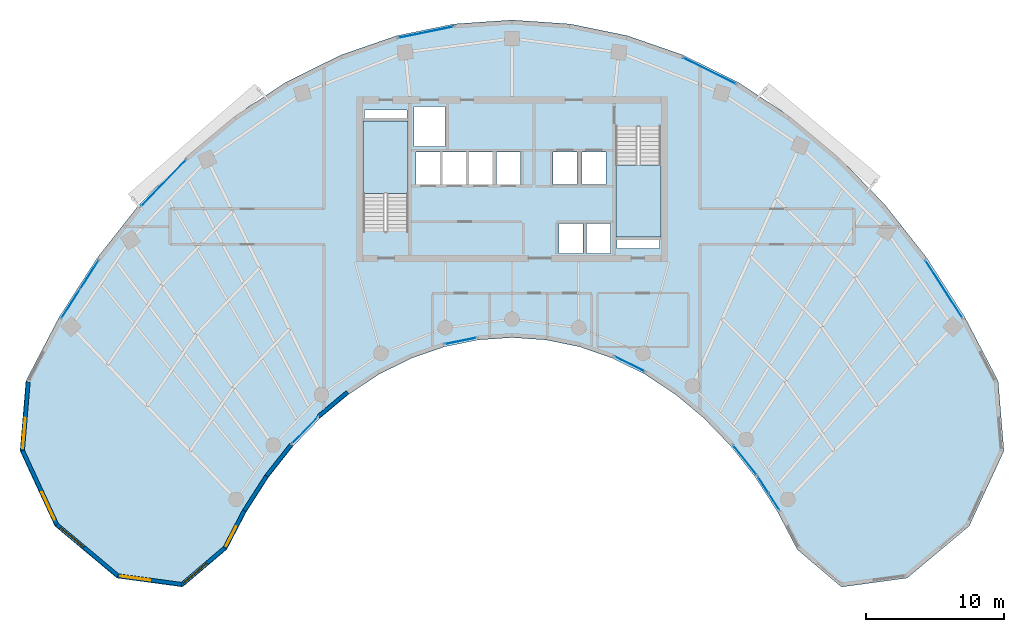
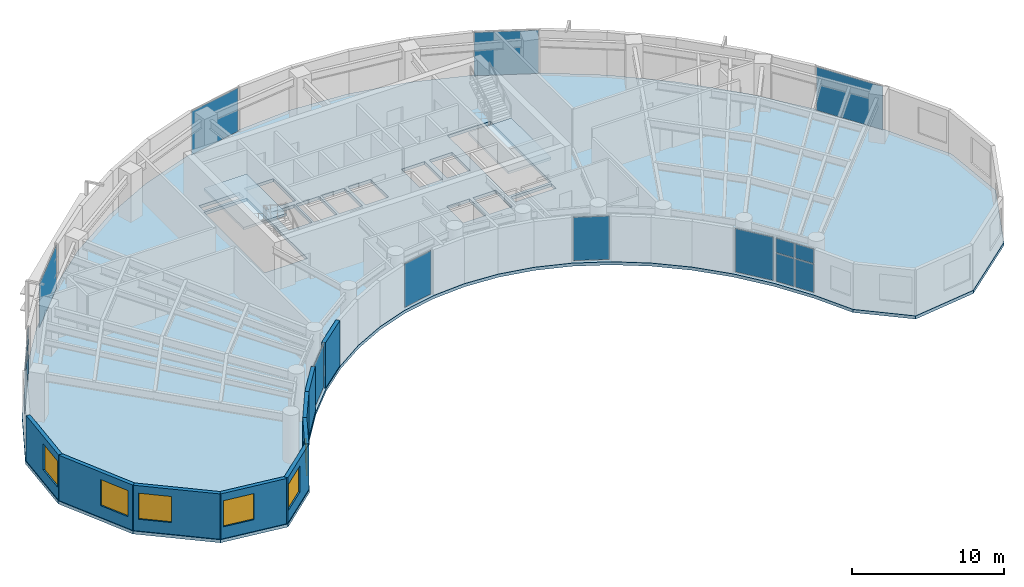
# One storey, part 7 of 13: 16 plates, 9 walls, 6 windows, 3 slabs, 6 openings, 12 elements without a shape of their own.
"""IFC4 building model written with IfcOpenShell, lengths in metres."""

from ifc_helpers import new_model, si_unit, direction, frame, frame_2d, origin, origin_2d, place, context, subcontext, project, spatial, polyline, rectangle, outline, extrude, source, transform, mapped, material, layer, layer_set, type_object, type_shapes, element, fill, aggregate, save


model = new_model("IFC4")

# Units and contexts
model_context = context("Model", 3, precision=1e-05, world=origin(), true_north=direction((0.0, 1.0)))
body_context = subcontext(model_context, "Body", "Model", "MODEL_VIEW")
ifc_project = project(units=[si_unit("LENGTHUNIT", "METRE"), si_unit("AREAUNIT", "SQUARE_METRE"), si_unit("VOLUMEUNIT", "CUBIC_METRE"), si_unit("PLANEANGLEUNIT", "RADIAN"), si_unit("MASSUNIT", "GRAM", prefix="KILO")], contexts=[model_context])

# Site, building, storey
site_placement = place(None, origin())
site = spatial("IfcSite", under=ifc_project, at=site_placement, CompositionType="ELEMENT")
building_placement = place(site_placement, origin())
building = spatial("IfcBuilding", under=site, at=building_placement, Name="Breltana Convention Tower", CompositionType="ELEMENT")
storey_placement = place(building_placement, frame((0.0, 0.0, 158.39990234375)))
storey = spatial("IfcBuildingStorey", under=building, at=storey_placement, Name="L38", CompositionType="ELEMENT", Elevation=158.39990234375)

# Slab
ifc_material_1 = material(Name="Concrete C40/50", Category="concrete")
ifc_layer_1 = layer(ifc_material_1, 0.25, Name="Concrete C40/50")
ifc_layer_set_1 = layer_set([ifc_layer_1], Name="Concrete C40/50")
slab_type_1 = type_object("IfcSlabType", Name="SL-OFF-250", PredefinedType="FLOOR", material=ifc_layer_set_1)
slab_1_placement = place(storey_placement, frame((0.0, 0.0, -0.25)))
element("IfcSlab", 1, at=slab_1_placement, inside=storey, type_object=slab_type_1, Name="L38 Suspended Structural Floor Slab", PredefinedType="FLOOR", context=body_context, shape_type="SweptSolid", body=[
    extrude(outline(polyline([(83.27880859375, 51.539794921875), (80.870361328125, 56.166015625), (78.12548828125, 60.442138671875), (75.072265625, 64.32470703125), (71.74169921875, 67.774169921875), (68.168212890625, 70.7548828125), (64.387939453125, 73.236328125), (60.440185546875, 75.193115234375), (56.36474609375, 76.60546875), (52.203857421875, 77.45849609375), (48.0, 77.743896484375), (43.796142578125, 77.45849609375), (39.63525390625, 76.60546875), (35.559814453125, 75.193115234375), (31.612060546875, 73.236328125), (27.831787109375, 70.7548828125), (24.25830078125, 67.774169921875), (20.927734375, 64.32470703125), (17.87451171875, 60.442138671875), (15.129638671875, 56.166015625), (12.72119140625, 51.539794921875), (12.298095703125, 46.4794921875), (14.822509765625, 41.019287109375), (19.329833984375, 37.2451171875), (24.098876953125, 36.598388671875), (27.3076171875, 39.326171875), (28.72021484375, 42.03955078125), (30.330078125, 44.5478515625), (32.12109375, 46.8251953125), (34.07470703125, 48.848388671875), (36.170654296875, 50.5966796875), (38.3876953125, 52.052001953125), (40.703369140625, 53.19970703125), (43.09375, 54.0283203125), (45.5341796875, 54.528564453125), (48.0, 54.696044921875), (50.4658203125, 54.528564453125), (52.90625, 54.0283203125), (55.296630859375, 53.19970703125), (57.6123046875, 52.052001953125), (59.829345703125, 50.5966796875), (61.92529296875, 48.848388671875), (63.87890625, 46.8251953125), (65.669921875, 44.5478515625), (67.27978515625, 42.03955078125), (68.6923828125, 39.326171875), (71.901123046875, 36.598388671875), (76.670166015625, 37.2451171875), (81.177490234375, 41.019287109375), (83.701904296875, 46.4794921875), (83.27880859375, 51.539794921875)]), holes=[polyline([(37.199951171875, 62.385009765625), (40.469970703125, 62.385009765625), (40.469970703125, 70.39990234375), (37.199951171875, 70.39990234375), (37.199951171875, 62.385009765625)]), polyline([(55.530029296875, 62.0), (58.800048828125, 62.0), (58.800048828125, 70.014892578125), (55.530029296875, 70.014892578125), (55.530029296875, 62.0)]), polyline([(51.39990234375, 60.800048828125), (53.159912109375, 60.800048828125), (53.159912109375, 62.97998046875), (51.39990234375, 62.97998046875), (51.39990234375, 60.800048828125)]), polyline([(53.39990234375, 60.800048828125), (55.159912109375, 60.800048828125), (55.159912109375, 62.97998046875), (53.39990234375, 62.97998046875), (53.39990234375, 60.800048828125)]), polyline([(41.0400390625, 65.820068359375), (42.800048828125, 65.820068359375), (42.800048828125, 68.179931640625), (41.0400390625, 68.179931640625), (41.0400390625, 65.820068359375)]), polyline([(42.93994140625, 65.820068359375), (44.699951171875, 65.820068359375), (44.699951171875, 68.179931640625), (42.93994140625, 68.179931640625), (42.93994140625, 65.820068359375)]), polyline([(44.8701171875, 65.820068359375), (46.6298828125, 65.820068359375), (46.6298828125, 68.179931640625), (44.8701171875, 68.179931640625), (44.8701171875, 65.820068359375)]), polyline([(46.8701171875, 65.820068359375), (48.6298828125, 65.820068359375), (48.6298828125, 68.179931640625), (46.8701171875, 68.179931640625), (46.8701171875, 65.820068359375)]), polyline([(50.969970703125, 65.800048828125), (52.72998046875, 65.800048828125), (52.72998046875, 68.179931640625), (50.969970703125, 68.179931640625), (50.969970703125, 65.800048828125)]), polyline([(53.070068359375, 65.800048828125), (54.830078125, 65.800048828125), (54.830078125, 68.179931640625), (53.070068359375, 68.179931640625), (53.070068359375, 65.800048828125)]), polyline([(40.8798828125, 68.550048828125), (43.1201171875, 68.550048828125), (43.1201171875, 71.449951171875), (40.8798828125, 71.449951171875), (40.8798828125, 68.550048828125)]), polyline([(37.300048828125, 70.60009765625), (40.3798828125, 70.60009765625), (40.3798828125, 71.219970703125), (37.300048828125, 71.219970703125), (37.300048828125, 70.60009765625)]), polyline([(55.6201171875, 61.179931640625), (58.699951171875, 61.179931640625), (58.699951171875, 61.800048828125), (55.6201171875, 61.800048828125), (55.6201171875, 61.179931640625)])]), origin(), (0.0, 0.0, 1.0), 0.25),
])

# Stair, slab
stair_type = type_object("IfcStairType", Name="ST-DOG-1560-R177", PredefinedType="HALF_TURN_STAIR", material=ifc_material_1)
stair_1_placement = place(storey_placement, origin())
stair_1 = element("IfcStair", 2, at=stair_1_placement, inside=storey, type_object=stair_type, Name="L38 Protected Core Exit Stair ST-1", PredefinedType="HALF_TURN_STAIR")
ifc_layer_2 = layer(ifc_material_1, 0.199951171875, Name="Concrete C40/50")
ifc_layer_set_2 = layer_set([ifc_layer_2], Name="Concrete C40/50")
slab_type_2 = type_object("IfcSlabType", Name="SL-STAIR-LANDING-200", PredefinedType="LANDING", material=ifc_layer_set_2)
slab_2_placement = place(storey_placement, frame((0.0, 0.0, 1.75)))
slab_2 = element("IfcSlab", 3, at=slab_2_placement, type_object=slab_type_2, Name="ST-1 landing 1", PredefinedType="LANDING", context=body_context, shape_type="SweptSolid", body=[
    extrude(outline(polyline([(40.469970703125, 65.159912109375), (40.469970703125, 70.39990234375), (37.199951171875, 70.39990234375), (37.199951171875, 65.159912109375), (40.469970703125, 65.159912109375)])), origin(), (0.0, 0.0, 1.0), 0.2001953125),
])
aggregate(stair_1, [slab_2])

stair_2_placement = place(storey_placement, origin())
stair_2 = element("IfcStair", 4, at=stair_2_placement, inside=storey, type_object=stair_type, Name="L38 Protected Core Exit Stair ST-2", PredefinedType="HALF_TURN_STAIR")
slab_3_placement = place(storey_placement, frame((0.0, 0.0, 1.75)))
slab_3 = element("IfcSlab", 5, at=slab_3_placement, type_object=slab_type_2, Name="ST-2 landing 1", PredefinedType="LANDING", context=body_context, shape_type="SweptSolid", body=[
    extrude(outline(polyline([(55.530029296875, 67.239990234375), (55.530029296875, 62.0), (58.800048828125, 62.0), (58.800048828125, 67.239990234375), (55.530029296875, 67.239990234375)])), origin(), (0.0, 0.0, 1.0), 0.2001953125),
])
aggregate(stair_2, [slab_3])

# Curtain wall, plates
ifc_material_2 = material(Name="Aluminium Anodised Bronze Frame", Category="aluminium")
ifc_layer_3 = layer(ifc_material_2, 0.18994140625, Name="Aluminium Anodised Bronze Frame")
ifc_layer_set_3 = layer_set([ifc_layer_3], Name="Aluminium Anodised Bronze Frame")
curtain_wall_type_1 = type_object("IfcCurtainWallType", Name="CW-SYS-1", PredefinedType="NOTDEFINED", material=ifc_layer_set_3)
curtain_wall_1_placement = place(storey_placement, origin())
curtain_wall_1 = element("IfcCurtainWall", 6, at=curtain_wall_1_placement, inside=storey, type_object=curtain_wall_type_1, Name="L38 inner south-court glazing 1", PredefinedType="NOTDEFINED")
ifc_material_3 = material(Name="Glass Low-E Double Glazing", Category="glass")
ifc_layer_4 = layer(ifc_material_3, 0.028076171875, Name="Glass Low-E Double Glazing")
ifc_layer_set_4 = layer_set([ifc_layer_4], Name="Glass Low-E Double Glazing")
plate_type = type_object("IfcPlateType", Name="CWP-IGU-28", PredefinedType="CURTAIN_PANEL", material=ifc_layer_set_4)
shared_shape_1 = source(origin(), body_context, "Body", "SweptSolid", [
    extrude(rectangle(XDim=1.3701171875, YDim=0.028076171875, at=origin_2d()), origin(), (0.0, 0.0, 1.0), 2.25244140625),
])
plate_1_placement = place(storey_placement, frame((67.01806640625, 42.78076171875, 0.080078125), z_axis=(0.0, 0.0, 1.0), x_axis=(-0.540184298954, 0.841546744491, 0.0)))
plate_1 = element("IfcPlate", 7, at=plate_1_placement, type_object=plate_type, Name="CW-01 panel 1.1", PredefinedType="CURTAIN_PANEL", context=body_context, shape_type="MappedRepresentation", body=[
    mapped(shared_shape_1, transform((0.0, 0.0, 0.0), scale=1.0)),
])
plate_2_placement = place(storey_placement, frame((66.234619140625, 44.001220703125, 0.080078125), z_axis=(0.0, 0.0, 1.0), x_axis=(-0.540184298954, 0.841546744491, 0.0)))
plate_2 = element("IfcPlate", 8, at=plate_2_placement, type_object=plate_type, Name="CW-01 panel 2.1", PredefinedType="CURTAIN_PANEL", context=body_context, shape_type="MappedRepresentation", body=[
    mapped(shared_shape_1, transform((0.0, 0.0, 0.0), scale=1.0)),
])
shared_shape_2 = source(origin(), body_context, "Body", "SweptSolid", [
    extrude(rectangle(XDim=1.3701171875, YDim=0.028076171875, at=origin_2d()), origin(), (0.0, 0.0, 1.0), 1.157470703125),
])
plate_3_placement = place(storey_placement, frame((67.01806640625, 42.78076171875, 2.41259765625), z_axis=(0.0, 0.0, 1.0), x_axis=(-0.540184298954, 0.841546744491, 0.0)))
plate_3 = element("IfcPlate", 9, at=plate_3_placement, type_object=plate_type, Name="CW-01 panel 1.2", PredefinedType="CURTAIN_PANEL", context=body_context, shape_type="MappedRepresentation", body=[
    mapped(shared_shape_2, transform((0.0, 0.0, 0.0), scale=1.0)),
])
plate_4_placement = place(storey_placement, frame((66.234619140625, 44.001220703125, 2.41259765625), z_axis=(0.0, 0.0, 1.0), x_axis=(-0.540184298954, 0.841546744491, 0.0)))
plate_4 = element("IfcPlate", 10, at=plate_4_placement, type_object=plate_type, Name="CW-01 panel 2.2", PredefinedType="CURTAIN_PANEL", context=body_context, shape_type="MappedRepresentation", body=[
    mapped(shared_shape_2, transform((0.0, 0.0, 0.0), scale=1.0)),
])
aggregate(curtain_wall_1, [plate_1, plate_3, plate_2, plate_4])

# Curtain wall, plate
curtain_wall_2_placement = place(storey_placement, origin())
curtain_wall_2 = element("IfcCurtainWall", 11, at=curtain_wall_2_placement, inside=storey, type_object=curtain_wall_type_1, Name="L38 inner south-court glazing 2", PredefinedType="NOTDEFINED")
shared_shape_3 = source(origin(), body_context, "Body", "SweptSolid", [
    extrude(rectangle(XDim=2.737060546875, YDim=0.028076171875, at=origin_2d()), origin(), (0.0, 0.0, 1.0), 3.489990234375),
])
plate_5_placement = place(storey_placement, frame((64.915771484375, 45.7978515625, 0.080078125), z_axis=(0.0, 0.0, 1.0), x_axis=(-0.618161435717, 0.786051168431, 0.0)))
plate_5 = element("IfcPlate", 12, at=plate_5_placement, type_object=plate_type, Name="CW-01 panel 1.1", PredefinedType="CURTAIN_PANEL", context=body_context, shape_type="MappedRepresentation", body=[
    mapped(shared_shape_3, transform((0.0, 0.0, 0.0), scale=1.0)),
])
aggregate(curtain_wall_2, [plate_5])

# Curtain wall, plates
ifc_layer_5 = layer(ifc_material_2, 0.2099609375, Name="Aluminium Anodised Bronze Frame")
ifc_layer_set_5 = layer_set([ifc_layer_5], Name="Aluminium Anodised Bronze Frame")
curtain_wall_type_2 = type_object("IfcCurtainWallType", Name="CW-SYS-3", PredefinedType="NOTDEFINED", material=ifc_layer_set_5)
curtain_wall_3_placement = place(storey_placement, origin())
curtain_wall_3 = element("IfcCurtainWall", 13, at=curtain_wall_3_placement, inside=storey, type_object=curtain_wall_type_2, Name="L38 outer double-skin inner glazing 1", PredefinedType="NOTDEFINED")
shared_shape_4 = source(origin(), body_context, "Body", "SweptSolid", [
    extrude(rectangle(XDim=2.42724609375, YDim=0.028076171875, at=origin_2d()), origin(), (0.0, 0.0, 1.0), 2.25244140625),
])
plate_6_placement = place(storey_placement, frame((15.97900390625, 57.15576171875, 0.080078125), z_axis=(0.0, 0.0, 1.0), x_axis=(0.54017267843, 0.841554203529, 0.0)))
plate_6 = element("IfcPlate", 14, at=plate_6_placement, type_object=plate_type, Name="CW-03 panel 1.1", PredefinedType="CURTAIN_PANEL", context=body_context, shape_type="MappedRepresentation", body=[
    mapped(shared_shape_4, transform((0.0, 0.0, 0.0), scale=1.0)),
])
plate_7_placement = place(storey_placement, frame((17.327880859375, 59.25732421875, 0.080078125), z_axis=(0.0, 0.0, 1.0), x_axis=(0.54017267843, 0.841554203529, 0.0)))
plate_7 = element("IfcPlate", 15, at=plate_7_placement, type_object=plate_type, Name="CW-03 panel 2.1", PredefinedType="CURTAIN_PANEL", context=body_context, shape_type="MappedRepresentation", body=[
    mapped(shared_shape_4, transform((0.0, 0.0, 0.0), scale=1.0)),
])
shared_shape_5 = source(origin(), body_context, "Body", "SweptSolid", [
    extrude(rectangle(XDim=2.42724609375, YDim=0.028076171875, at=origin_2d()), origin(), (0.0, 0.0, 1.0), 1.157470703125),
])
plate_8_placement = place(storey_placement, frame((15.97900390625, 57.15576171875, 2.41259765625), z_axis=(0.0, 0.0, 1.0), x_axis=(0.54017267843, 0.841554203529, 0.0)))
plate_8 = element("IfcPlate", 16, at=plate_8_placement, type_object=plate_type, Name="CW-03 panel 1.2", PredefinedType="CURTAIN_PANEL", context=body_context, shape_type="MappedRepresentation", body=[
    mapped(shared_shape_5, transform((0.0, 0.0, 0.0), scale=1.0)),
])
plate_9_placement = place(storey_placement, frame((17.327880859375, 59.25732421875, 2.41259765625), z_axis=(0.0, 0.0, 1.0), x_axis=(0.54017267843, 0.841554203529, 0.0)))
plate_9 = element("IfcPlate", 17, at=plate_9_placement, type_object=plate_type, Name="CW-03 panel 2.2", PredefinedType="CURTAIN_PANEL", context=body_context, shape_type="MappedRepresentation", body=[
    mapped(shared_shape_5, transform((0.0, 0.0, 0.0), scale=1.0)),
])
aggregate(curtain_wall_3, [plate_6, plate_8, plate_7, plate_9])

# Curtain wall, plate
curtain_wall_4_placement = place(storey_placement, origin())
curtain_wall_4 = element("IfcCurtainWall", 18, at=curtain_wall_4_placement, inside=storey, type_object=curtain_wall_type_2, Name="L38 outer double-skin inner glazing 4", PredefinedType="NOTDEFINED")
shared_shape_6 = source(origin(), body_context, "Body", "SweptSolid", [
    extrude(rectangle(XDim=4.243896484375, YDim=0.028076171875, at=origin_2d()), origin(), (0.0, 0.0, 1.0), 3.489990234375),
])
plate_10_placement = place(storey_placement, frame((62.334228515625, 74.053466796875, 0.080078125), z_axis=(0.0, 0.0, 1.0), x_axis=(0.895968385619, -0.444117835682, 0.0)))
plate_10 = element("IfcPlate", 19, at=plate_10_placement, type_object=plate_type, Name="CW-03 panel 1.1", PredefinedType="CURTAIN_PANEL", context=body_context, shape_type="MappedRepresentation", body=[
    mapped(shared_shape_6, transform((0.0, 0.0, 0.0), scale=1.0)),
])
aggregate(curtain_wall_4, [plate_10])

curtain_wall_5_placement = place(storey_placement, origin())
curtain_wall_5 = element("IfcCurtainWall", 20, at=curtain_wall_5_placement, inside=storey, type_object=curtain_wall_type_2, Name="L38 outer double-skin inner glazing 3", PredefinedType="NOTDEFINED")
shared_shape_7 = source(origin(), body_context, "Body", "SweptSolid", [
    extrude(rectangle(XDim=4.08349609375, YDim=0.028076171875, at=origin_2d()), origin(), (0.0, 0.0, 1.0), 3.489990234375),
])
plate_11_placement = place(storey_placement, frame((41.751708984375, 76.855712890625, 0.080078125), z_axis=(0.0, 0.0, 1.0), x_axis=(0.979616560993, 0.200876562668, 0.0)))
plate_11 = element("IfcPlate", 21, at=plate_11_placement, type_object=plate_type, Name="CW-03 panel 1.1", PredefinedType="CURTAIN_PANEL", context=body_context, shape_type="MappedRepresentation", body=[
    mapped(shared_shape_7, transform((0.0, 0.0, 0.0), scale=1.0)),
])
aggregate(curtain_wall_5, [plate_11])

curtain_wall_6_placement = place(storey_placement, origin())
curtain_wall_6 = element("IfcCurtainWall", 22, at=curtain_wall_6_placement, inside=storey, type_object=curtain_wall_type_2, Name="L38 outer double-skin inner glazing 2", PredefinedType="NOTDEFINED")
shared_shape_8 = source(origin(), body_context, "Body", "SweptSolid", [
    extrude(rectangle(XDim=4.635986328125, YDim=0.028076171875, at=origin_2d()), origin(), (0.0, 0.0, 1.0), 3.489990234375),
])
plate_12_placement = place(storey_placement, frame((22.722412109375, 65.92431640625, 0.080078125), z_axis=(0.0, 0.0, 1.0), x_axis=(0.694602734297, 0.719393523398, 0.0)))
plate_12 = element("IfcPlate", 23, at=plate_12_placement, type_object=plate_type, Name="CW-03 panel 1.1", PredefinedType="CURTAIN_PANEL", context=body_context, shape_type="MappedRepresentation", body=[
    mapped(shared_shape_8, transform((0.0, 0.0, 0.0), scale=1.0)),
])
aggregate(curtain_wall_6, [plate_12])

curtain_wall_7_placement = place(storey_placement, origin())
curtain_wall_7 = element("IfcCurtainWall", 24, at=curtain_wall_7_placement, inside=storey, type_object=curtain_wall_type_1, Name="L38 inner south-court glazing 3", PredefinedType="NOTDEFINED")
shared_shape_9 = source(origin(), body_context, "Body", "SweptSolid", [
    extrude(rectangle(XDim=2.424560546875, YDim=0.028076171875, at=origin_2d()), origin(), (0.0, 0.0, 1.0), 3.489990234375),
])
plate_13_placement = place(storey_placement, frame((56.5341796875, 52.787109375, 0.080078125), z_axis=(0.0, 0.0, 1.0), x_axis=(-0.895969545082, 0.444115496562, 0.0)))
plate_13 = element("IfcPlate", 25, at=plate_13_placement, type_object=plate_type, Name="CW-01 panel 1.1", PredefinedType="CURTAIN_PANEL", context=body_context, shape_type="MappedRepresentation", body=[
    mapped(shared_shape_9, transform((0.0, 0.0, 0.0), scale=1.0)),
])
aggregate(curtain_wall_7, [plate_13])

curtain_wall_8_placement = place(storey_placement, origin())
curtain_wall_8 = element("IfcCurtainWall", 26, at=curtain_wall_8_placement, inside=storey, type_object=curtain_wall_type_1, Name="L38 inner south-court glazing 4", PredefinedType="NOTDEFINED")
shared_shape_10 = source(origin(), body_context, "Body", "SweptSolid", [
    extrude(rectangle(XDim=2.331298828125, YDim=0.028076171875, at=origin_2d()), origin(), (0.0, 0.0, 1.0), 3.489990234375),
])
plate_14_placement = place(storey_placement, frame((44.27783203125, 54.45458984375, 0.080078125), z_axis=(0.0, 0.0, 1.0), x_axis=(-0.979619715529, -0.200861178299, 0.0)))
plate_14 = element("IfcPlate", 27, at=plate_14_placement, type_object=plate_type, Name="CW-01 panel 1.1", PredefinedType="CURTAIN_PANEL", context=body_context, shape_type="MappedRepresentation", body=[
    mapped(shared_shape_10, transform((0.0, 0.0, 0.0), scale=1.0)),
])
aggregate(curtain_wall_8, [plate_14])

curtain_wall_9_placement = place(storey_placement, origin())
curtain_wall_9 = element("IfcCurtainWall", 28, at=curtain_wall_9_placement, inside=storey, type_object=curtain_wall_type_1, Name="L38 inner south-court glazing 5", PredefinedType="NOTDEFINED")
shared_shape_11 = source(origin(), body_context, "Body", "SweptSolid", [
    extrude(rectangle(XDim=2.65234375, YDim=0.028076171875, at=origin_2d()), origin(), (0.0, 0.0, 1.0), 3.489990234375),
])
plate_15_placement = place(storey_placement, frame((32.96826171875, 47.961669921875, 0.080078125), z_axis=(0.0, 0.0, 1.0), x_axis=(-0.694606570168, -0.719389819694, 0.0)))
plate_15 = element("IfcPlate", 29, at=plate_15_placement, type_object=plate_type, Name="CW-01 panel 1.1", PredefinedType="CURTAIN_PANEL", context=body_context, shape_type="MappedRepresentation", body=[
    mapped(shared_shape_11, transform((0.0, 0.0, 0.0), scale=1.0)),
])
aggregate(curtain_wall_9, [plate_15])

curtain_wall_10_placement = place(storey_placement, origin())
curtain_wall_10 = element("IfcCurtainWall", 30, at=curtain_wall_10_placement, inside=storey, type_object=curtain_wall_type_2, Name="L38 outer double-skin inner glazing 5", PredefinedType="NOTDEFINED")
shared_shape_12 = source(origin(), body_context, "Body", "SweptSolid", [
    extrude(rectangle(XDim=4.924560546875, YDim=0.028076171875, at=origin_2d()), origin(), (0.0, 0.0, 1.0), 3.489990234375),
])
plate_16_placement = place(storey_placement, frame((79.3466796875, 58.20654296875, 0.080078125), z_axis=(0.0, 0.0, 1.0), x_axis=(0.54017267843, -0.841554203529, 0.0)))
plate_16 = element("IfcPlate", 31, at=plate_16_placement, type_object=plate_type, Name="CW-03 panel 1.1", PredefinedType="CURTAIN_PANEL", context=body_context, shape_type="MappedRepresentation", body=[
    mapped(shared_shape_12, transform((0.0, 0.0, 0.0), scale=1.0)),
])
aggregate(curtain_wall_10, [plate_16])

# Wall, opening, window
ifc_material_4 = material(Name="Limestone Buff Insulated Wall", Category="masonry")
ifc_layer_6 = layer(ifc_material_4, 0.280029296875, Name="Limestone Buff Insulated Wall")
ifc_layer_set_6 = layer_set([ifc_layer_6], Name="Limestone Buff Insulated Wall")
wall_type = type_object("IfcWallType", Name="WL-EXT-NOSE-280", PredefinedType="SOLIDWALL", material=ifc_layer_set_6)
shared_shape_13 = source(origin(), body_context, "Body", "SweptSolid", [
    extrude(rectangle(XDim=4.994384765625, YDim=0.280029296875, at=frame_2d((2.4970703125, 0.0))), origin(), (0.0, 0.0, 1.0), 3.650146484375),
])
wall_1_placement = place(storey_placement, frame((12.4814453125, 46.51171875, 0.0), z_axis=(0.0, 0.0, 1.0), x_axis=(0.083344839916, 0.996520766296, 0.0)))
wall_1 = element("IfcWall", 32, at=wall_1_placement, inside=storey, type_object=wall_type, Name="L38 curved limestone nose wall W6", PredefinedType="SOLIDWALL", context=body_context, shape_type="MappedRepresentation", body=[
    mapped(shared_shape_13, transform((0.0, 0.0, 0.0), scale=1.0)),
])
opening_1_placement = place(wall_1_placement, frame((0.159912109375, 0.0, 0.949951171875)))
opening_1 = element("IfcOpeningElement", 33, at=opening_1_placement, cuts=wall_1, Name="Opening W-03", PredefinedType="OPENING", context=body_context, shape_type="SweptSolid", body=[
    extrude(rectangle(XDim=2.199951171875, YDim=2.10009765625, at=frame_2d((1.10009765625, 1.050048828125))), frame((0.0, 0.14990234375, 0.0), z_axis=(0.0, -1.0, 0.0), x_axis=(1.0, 0.0, 0.0)), (0.0, 0.0, 1.0), 0.300048828125),
])
ifc_material_5 = material(Name="Glass Low-E Insulated Window", Category="glass")
window_type_1 = type_object("IfcWindowType", Name="WN-NOSE-2200X2100", PartitioningType="TRIPLE_PANEL_VERTICAL", PredefinedType="WINDOW", material=ifc_material_5)
shared_shape_14 = source(origin(), body_context, "Body", "SweptSolid", [
    extrude(rectangle(XDim=2.199951171875, YDim=2.10009765625, at=frame_2d((1.10009765625, 1.050048828125))), frame((0.0, 0.030029296875, 0.0), z_axis=(0.0, -1.0, 0.0), x_axis=(1.0, 0.0, 0.0)), (0.0, 0.0, 1.0), 0.06005859375),
])
type_shapes(window_type_1, [shared_shape_14])
window_1_placement = place(opening_1_placement, origin())
window_1 = element("IfcWindow", 34, at=window_1_placement, inside=storey, type_object=window_type_1, Name="L38 nose window W6", OverallHeight=2.10009765625, OverallWidth=2.199951171875, PartitioningType="TRIPLE_PANEL_VERTICAL", PredefinedType="WINDOW", context=body_context, shape_type="MappedRepresentation", body=[
    mapped(shared_shape_14, transform((0.0, 0.0, 0.0), scale=1.0)),
])
fill(opening_1, window_1)

shared_shape_15 = source(origin(), body_context, "Body", "SweptSolid", [
    extrude(rectangle(XDim=5.927490234375, YDim=0.280029296875, at=frame_2d((2.9638671875, 0.0))), origin(), (0.0, 0.0, 1.0), 3.650146484375),
])
wall_2_placement = place(storey_placement, frame((14.968994140625, 41.13134765625, 0.0), z_axis=(0.0, 0.0, 1.0), x_axis=(-0.419656204795, 0.907683132914, 0.0)))
wall_2 = element("IfcWall", 35, at=wall_2_placement, inside=storey, type_object=wall_type, Name="L38 curved limestone nose wall W5", PredefinedType="SOLIDWALL", context=body_context, shape_type="MappedRepresentation", body=[
    mapped(shared_shape_15, transform((0.0, 0.0, 0.0), scale=1.0)),
])
opening_2_placement = place(wall_2_placement, frame((0.3818359375, 0.0, 0.949951171875)))
opening_2 = element("IfcOpeningElement", 36, at=opening_2_placement, cuts=wall_2, Name="Opening W-03", PredefinedType="OPENING", context=body_context, shape_type="SweptSolid", body=[
    extrude(rectangle(XDim=2.199951171875, YDim=2.10009765625, at=frame_2d((1.10009765625, 1.050048828125))), frame((0.0, 0.14990234375, 0.0), z_axis=(0.0, -1.0, 0.0), x_axis=(1.0, 0.0, 0.0)), (0.0, 0.0, 1.0), 0.300048828125),
])
window_2_placement = place(opening_2_placement, origin())
window_2 = element("IfcWindow", 37, at=window_2_placement, inside=storey, type_object=window_type_1, Name="L38 nose window W5", OverallHeight=2.10009765625, OverallWidth=2.199951171875, PartitioningType="TRIPLE_PANEL_VERTICAL", PredefinedType="WINDOW", context=body_context, shape_type="MappedRepresentation", body=[
    mapped(shared_shape_14, transform((0.0, 0.0, 0.0), scale=1.0)),
])
fill(opening_2, window_2)

shared_shape_16 = source(origin(), body_context, "Body", "SweptSolid", [
    extrude(rectangle(XDim=5.786376953125, YDim=0.280029296875, at=frame_2d((2.89306640625, 0.0))), origin(), (0.0, 0.0, 1.0), 3.650146484375),
])
wall_3_placement = place(storey_placement, frame((19.405517578125, 37.41650390625, 0.0), z_axis=(0.0, 0.0, 1.0), x_axis=(-0.766711306852, 0.641992034176, 0.0)))
wall_3 = element("IfcWall", 38, at=wall_3_placement, inside=storey, type_object=wall_type, Name="L38 curved limestone nose wall W4", PredefinedType="SOLIDWALL", context=body_context, shape_type="MappedRepresentation", body=[
    mapped(shared_shape_16, transform((0.0, 0.0, 0.0), scale=1.0)),
])
opening_3_placement = place(wall_3_placement, frame((3.239990234375, 0.0, 0.949951171875)))
opening_3 = element("IfcOpeningElement", 39, at=opening_3_placement, cuts=wall_3, Name="Opening W-03", PredefinedType="OPENING", context=body_context, shape_type="SweptSolid", body=[
    extrude(rectangle(XDim=2.199951171875, YDim=2.10009765625, at=frame_2d((1.10009765625, 1.050048828125))), frame((0.0, 0.14990234375, 0.0), z_axis=(0.0, -1.0, 0.0), x_axis=(1.0, 0.0, 0.0)), (0.0, 0.0, 1.0), 0.300048828125),
])
window_3_placement = place(opening_3_placement, origin())
window_3 = element("IfcWindow", 40, at=window_3_placement, inside=storey, type_object=window_type_1, Name="L38 nose window W4", OverallHeight=2.10009765625, OverallWidth=2.199951171875, PartitioningType="TRIPLE_PANEL_VERTICAL", PredefinedType="WINDOW", context=body_context, shape_type="MappedRepresentation", body=[
    mapped(shared_shape_14, transform((0.0, 0.0, 0.0), scale=1.0)),
])
fill(opening_3, window_3)

shared_shape_17 = source(origin(), body_context, "Body", "SweptSolid", [
    extrude(rectangle(XDim=4.680419921875, YDim=0.280029296875, at=frame_2d((2.34033203125, 0.0))), origin(), (0.0, 0.0, 1.0), 3.650146484375),
])
wall_4_placement = place(storey_placement, frame((24.04345703125, 36.78759765625, 0.0), z_axis=(0.0, 0.0, 1.0), x_axis=(-0.990931146435, 0.134370618162, 0.0)))
wall_4 = element("IfcWall", 41, at=wall_4_placement, inside=storey, type_object=wall_type, Name="L38 curved limestone nose wall W3", PredefinedType="SOLIDWALL", context=body_context, shape_type="MappedRepresentation", body=[
    mapped(shared_shape_17, transform((0.0, 0.0, 0.0), scale=1.0)),
])
opening_4_placement = place(wall_4_placement, frame((2.3203125, 0.0, 0.949951171875)))
opening_4 = element("IfcOpeningElement", 42, at=opening_4_placement, cuts=wall_4, Name="Opening W-03", PredefinedType="OPENING", context=body_context, shape_type="SweptSolid", body=[
    extrude(rectangle(XDim=2.199951171875, YDim=2.10009765625, at=frame_2d((1.10009765625, 1.050048828125))), frame((0.0, 0.14990234375, 0.0), z_axis=(0.0, -1.0, 0.0), x_axis=(1.0, 0.0, 0.0)), (0.0, 0.0, 1.0), 0.300048828125),
])
window_4_placement = place(opening_4_placement, origin())
window_4 = element("IfcWindow", 43, at=window_4_placement, inside=storey, type_object=window_type_1, Name="L38 nose window W3", OverallHeight=2.10009765625, OverallWidth=2.199951171875, PartitioningType="TRIPLE_PANEL_VERTICAL", PredefinedType="WINDOW", context=body_context, shape_type="MappedRepresentation", body=[
    mapped(shared_shape_14, transform((0.0, 0.0, 0.0), scale=1.0)),
])
fill(opening_4, window_4)

shared_shape_18 = source(origin(), body_context, "Body", "SweptSolid", [
    extrude(rectangle(XDim=4.095947265625, YDim=0.280029296875, at=frame_2d((2.0478515625, 0.0))), origin(), (0.0, 0.0, 1.0), 3.650146484375),
])
wall_5_placement = place(storey_placement, frame((27.164306640625, 39.4404296875, 0.0), z_axis=(0.0, 0.0, 1.0), x_axis=(-0.761926081737, -0.647663991564, 0.0)))
wall_5 = element("IfcWall", 44, at=wall_5_placement, inside=storey, type_object=wall_type, Name="L38 curved limestone nose wall W2", PredefinedType="SOLIDWALL", context=body_context, shape_type="MappedRepresentation", body=[
    mapped(shared_shape_18, transform((0.0, 0.0, 0.0), scale=1.0)),
])
opening_5_placement = place(wall_5_placement, frame((1.736083984375, 0.0, 0.949951171875)))
opening_5 = element("IfcOpeningElement", 45, at=opening_5_placement, cuts=wall_5, Name="Opening W-03", PredefinedType="OPENING", context=body_context, shape_type="SweptSolid", body=[
    extrude(rectangle(XDim=2.199951171875, YDim=2.10009765625, at=frame_2d((1.10009765625, 1.050048828125))), frame((0.0, 0.14990234375, 0.0), z_axis=(0.0, -1.0, 0.0), x_axis=(1.0, 0.0, 0.0)), (0.0, 0.0, 1.0), 0.300048828125),
])
window_5_placement = place(opening_5_placement, origin())
window_5 = element("IfcWindow", 46, at=window_5_placement, inside=storey, type_object=window_type_1, Name="L38 nose window W2", OverallHeight=2.10009765625, OverallWidth=2.199951171875, PartitioningType="TRIPLE_PANEL_VERTICAL", PredefinedType="WINDOW", context=body_context, shape_type="MappedRepresentation", body=[
    mapped(shared_shape_14, transform((0.0, 0.0, 0.0), scale=1.0)),
])
fill(opening_5, window_5)

shared_shape_19 = source(origin(), body_context, "Body", "SweptSolid", [
    extrude(rectangle(XDim=3.02392578125, YDim=0.280029296875, at=frame_2d((1.511962890625, 0.0))), origin(), (0.0, 0.0, 1.0), 3.650146484375),
])
wall_6_placement = place(storey_placement, frame((28.560546875, 42.122802734375, 0.0), z_axis=(0.0, 0.0, 1.0), x_axis=(-0.461718746531, -0.887026380161, 0.0)))
wall_6 = element("IfcWall", 47, at=wall_6_placement, inside=storey, type_object=wall_type, Name="L38 curved limestone nose wall W1", PredefinedType="SOLIDWALL", context=body_context, shape_type="MappedRepresentation", body=[
    mapped(shared_shape_19, transform((0.0, 0.0, 0.0), scale=1.0)),
])
opening_6_placement = place(wall_6_placement, frame((1.263916015625, 0.0, 0.949951171875)))
opening_6 = element("IfcOpeningElement", 48, at=opening_6_placement, cuts=wall_6, Name="Opening W-04", PredefinedType="OPENING", context=body_context, shape_type="SweptSolid", body=[
    extrude(rectangle(XDim=1.60009765625, YDim=1.89990234375, at=frame_2d((0.800048828125, 0.949951171875))), frame((0.0, 0.14990234375, 0.0), z_axis=(0.0, -1.0, 0.0), x_axis=(1.0, 0.0, 0.0)), (0.0, 0.0, 1.0), 0.300048828125),
])
window_type_2 = type_object("IfcWindowType", Name="WN-NOSE-1600X1900", PartitioningType="SINGLE_PANEL", PredefinedType="WINDOW", material=ifc_material_5)
shared_shape_20 = source(origin(), body_context, "Body", "SweptSolid", [
    extrude(rectangle(XDim=1.60009765625, YDim=1.89990234375, at=frame_2d((0.800048828125, 0.949951171875))), frame((0.0, 0.030029296875, 0.0), z_axis=(0.0, -1.0, 0.0), x_axis=(1.0, 0.0, 0.0)), (0.0, 0.0, 1.0), 0.06005859375),
])
type_shapes(window_type_2, [shared_shape_20])
window_6_placement = place(opening_6_placement, origin())
window_6 = element("IfcWindow", 49, at=window_6_placement, inside=storey, type_object=window_type_2, Name="L38 nose window W1", OverallHeight=1.89990234375, OverallWidth=1.60009765625, PartitioningType="SINGLE_PANEL", PredefinedType="WINDOW", context=body_context, shape_type="MappedRepresentation", body=[
    mapped(shared_shape_20, transform((0.0, 0.0, 0.0), scale=1.0)),
])
fill(opening_6, window_6)

# Walls
shared_shape_21 = source(origin(), body_context, "Body", "SweptSolid", [
    extrude(rectangle(XDim=2.7294921875, YDim=0.280029296875, at=frame_2d((1.36474609375, 0.0))), origin(), (0.0, 0.0, 1.0), 3.650146484375),
])
wall_7_placement = place(storey_placement, frame((36.055419921875, 50.73486328125, 0.0), z_axis=(0.0, 0.0, 1.0), x_axis=(-0.767957284255, -0.640501061326, 0.0)))
element("IfcWall", 50, at=wall_7_placement, inside=storey, type_object=wall_type, Name="L38 curved limestone nose wall E17", PredefinedType="SOLIDWALL", context=body_context, shape_type="MappedRepresentation", body=[
    mapped(shared_shape_21, transform((0.0, 0.0, 0.0), scale=1.0)),
])
shared_shape_22 = source(origin(), body_context, "Body", "SweptSolid", [
    extrude(rectangle(XDim=2.89697265625, YDim=0.280029296875, at=frame_2d((1.448486328125, 0.0))), origin(), (0.0, 0.0, 1.0), 3.650146484375),
])
wall_8_placement = place(storey_placement, frame((31.9794921875, 46.936279296875, 0.0), z_axis=(0.0, 0.0, 1.0), x_axis=(-0.618167636915, -0.786046291685, 0.0)))
element("IfcWall", 51, at=wall_8_placement, inside=storey, type_object=wall_type, Name="L38 curved limestone nose wall E18", PredefinedType="SOLIDWALL", context=body_context, shape_type="MappedRepresentation", body=[
    mapped(shared_shape_22, transform((0.0, 0.0, 0.0), scale=1.0)),
])
shared_shape_23 = source(origin(), body_context, "Body", "SweptSolid", [
    extrude(rectangle(XDim=2.980712890625, YDim=0.280029296875, at=frame_2d((1.490234375, 0.0))), origin(), (0.0, 0.0, 1.0), 3.650146484375),
])
wall_9_placement = place(storey_placement, frame((30.1787109375, 44.64501953125, 0.0), z_axis=(0.0, 0.0, 1.0), x_axis=(-0.540194451908, -0.841540227278, 0.0)))
element("IfcWall", 52, at=wall_9_placement, inside=storey, type_object=wall_type, Name="L38 curved limestone nose wall E19", PredefinedType="SOLIDWALL", context=body_context, shape_type="MappedRepresentation", body=[
    mapped(shared_shape_23, transform((0.0, 0.0, 0.0), scale=1.0)),
])

save(model, "model.ifc")
